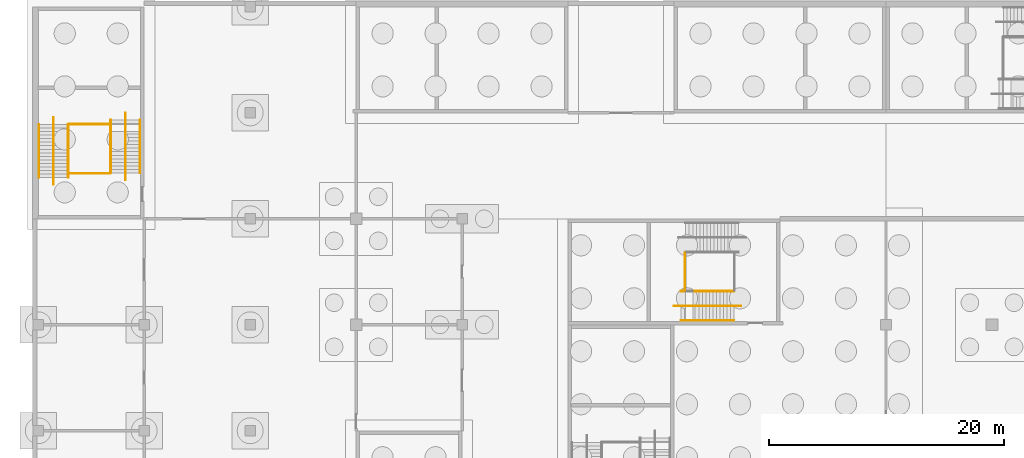
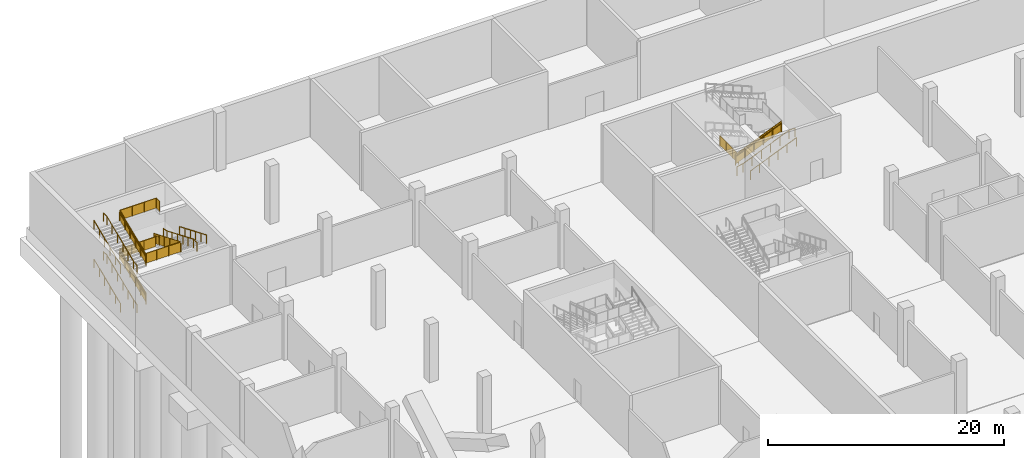
# One storey, part 32 of 42: 20 railings.
"""IFC4 building model written with IfcOpenShell, lengths in metres."""

from ifc_helpers import new_model, si_unit, direction, frame, origin, origin_2d, place, context, subcontext, project, spatial, polyline, circle, outline, extrude, material, type_object, element, save


model = new_model("IFC4")

# Units and contexts
model_context = context("Model", 3, precision=1e-05, world=origin(), true_north=direction((0.0, 1.0)))
body_context = subcontext(model_context, "Body", "Model", "MODEL_VIEW")
ifc_project = project(units=[si_unit("LENGTHUNIT", "METRE"), si_unit("AREAUNIT", "SQUARE_METRE"), si_unit("VOLUMEUNIT", "CUBIC_METRE"), si_unit("PLANEANGLEUNIT", "RADIAN"), si_unit("MASSUNIT", "GRAM", prefix="KILO")], contexts=[model_context])

# Site, building, storey
site_placement = place(None, origin())
site = spatial("IfcSite", under=ifc_project, at=site_placement, CompositionType="ELEMENT")
building_placement = place(site_placement, origin())
building = spatial("IfcBuilding", under=site, at=building_placement, Name="Silverbay Arena", CompositionType="ELEMENT")
storey_placement = place(building_placement, frame((0.0, 0.0, -6.0)))
storey = spatial("IfcBuildingStorey", under=building, at=storey_placement, Name="B1", CompositionType="ELEMENT", Elevation=-6.0)

# Railings
ifc_material_1 = material(Name="Stainless steel", Category="steel")
railing_type_1 = type_object("IfcRailingType", Name="Stair guard 1100", PredefinedType="GUARDRAIL", material=ifc_material_1)
railing_1_placement = place(storey_placement, frame((81.60009765625, 119.875, 2.125)))
element("IfcRailing", 1, at=railing_1_placement, inside=storey, type_object=railing_type_1, Name="Stair ST-NW1 B1 to L00 flight 2 guard right", PredefinedType="GUARDRAIL", context=body_context, shape_type="SweptSolid", body=[
    extrude(circle(Radius=0.02392578125, at=origin_2d()), frame((0.0, 0.0, 1.076171875), z_axis=(0.923076923077, 0.0, 0.384615384615), x_axis=(0.0, 1.0, 0.0)), (0.0, 0.0, 1.0), 4.875),
    extrude(outline(polyline([(-0.008056640625, 0.046630859375), (0.907958984375, 0.42822265625), (0.907958984375, 1.431396484375), (-0.008056640625, 1.049560546875), (-0.008056640625, 0.046630859375)])), frame((0.0, 0.0029296875, 0.0), z_axis=(0.0, -1.0, 0.0), x_axis=(1.0, 0.0, 0.0)), (0.0, 0.0, 1.0), 0.006103515625),
    extrude(outline(polyline([(-0.008056640625, 0.421630859375), (0.907958984375, 0.80322265625), (0.907958984375, 1.806396484375), (-0.008056640625, 1.424560546875), (-0.008056640625, 0.421630859375)])), frame((0.89990234375, 0.0029296875, 0.0), z_axis=(0.0, -1.0, 0.0), x_axis=(1.0, 0.0, 0.0)), (0.0, 0.0, 1.0), 0.006103515625),
    extrude(outline(polyline([(-0.008056640625, 0.796630859375), (0.907958984375, 1.17822265625), (0.907958984375, 2.181396484375), (-0.008056640625, 1.799560546875), (-0.008056640625, 0.796630859375)])), frame((1.800048828125, 0.0029296875, 0.0), z_axis=(0.0, -1.0, 0.0), x_axis=(1.0, 0.0, 0.0)), (0.0, 0.0, 1.0), 0.006103515625),
    extrude(outline(polyline([(-0.008056640625, 1.171630859375), (0.907958984375, 1.55322265625), (0.907958984375, 2.556396484375), (-0.008056640625, 2.174560546875), (-0.008056640625, 1.171630859375)])), frame((2.699951171875, 0.0029296875, 0.0), z_axis=(0.0, -1.0, 0.0), x_axis=(1.0, 0.0, 0.0)), (0.0, 0.0, 1.0), 0.006103515625),
    extrude(outline(polyline([(-0.008056640625, 1.546630859375), (0.907958984375, 1.92822265625), (0.907958984375, 2.931396484375), (-0.008056640625, 2.549560546875), (-0.008056640625, 1.546630859375)])), frame((3.60009765625, 0.0029296875, 0.0), z_axis=(0.0, -1.0, 0.0), x_axis=(1.0, 0.0, 0.0)), (0.0, 0.0, 1.0), 0.006103515625),
    extrude(circle(Radius=0.02099609375, at=origin_2d()), origin(), (0.0, 0.0, 1.0), 1.052001953125),
    extrude(circle(Radius=0.02099609375, at=origin_2d()), frame((0.89990234375, 0.0, 0.375)), (0.0, 0.0, 1.0), 1.052001953125),
    extrude(circle(Radius=0.02099609375, at=origin_2d()), frame((1.800048828125, 0.0, 0.75)), (0.0, 0.0, 1.0), 1.052001953125),
    extrude(circle(Radius=0.02099609375, at=origin_2d()), frame((2.699951171875, 0.0, 1.125)), (0.0, 0.0, 1.0), 1.052001953125),
    extrude(circle(Radius=0.02099609375, at=origin_2d()), frame((3.60009765625, 0.0, 1.5)), (0.0, 0.0, 1.0), 1.052001953125),
    extrude(circle(Radius=0.02099609375, at=origin_2d()), frame((4.5, 0.0, 1.875)), (0.0, 0.0, 1.0), 1.052001953125),
])
railing_2_placement = place(storey_placement, frame((81.93994140625, 119.89990234375, 2.0)))
element("IfcRailing", 2, at=railing_2_placement, inside=storey, type_object=railing_type_1, Name="Stair ST-NW1 B1 to L00 landing 1 guard", PredefinedType="GUARDRAIL", context=body_context, shape_type="SweptSolid", body=[
    extrude(circle(Radius=0.02392578125, at=origin_2d()), frame((0.0, 0.0, 1.076171875), z_axis=(0.0, 1.0, 0.0), x_axis=(-1.0, 0.0, 0.0)), (0.0, 0.0, 1.0), 3.2001953125),
    extrude(outline(polyline([(-0.008056640625, 0.050048828125), (1.07470703125, 0.050048828125), (1.07470703125, 1.052978515625), (-0.008056640625, 1.052978515625), (-0.008056640625, 0.050048828125)])), frame((-0.0029296875, 0.0, 0.0), z_axis=(1.0, 0.0, 0.0), x_axis=(0.0, 1.0, 0.0)), (0.0, 0.0, 1.0), 0.006103515625),
    extrude(outline(polyline([(-0.008056640625, 0.050048828125), (1.07470703125, 0.050048828125), (1.07470703125, 1.052978515625), (-0.008056640625, 1.052978515625), (-0.008056640625, 0.050048828125)])), frame((-0.0029296875, 1.066650390625, 0.0), z_axis=(1.0, 0.0, 0.0), x_axis=(0.0, 1.0, 0.0)), (0.0, 0.0, 1.0), 0.006103515625),
    extrude(outline(polyline([(-0.008056640625, 0.050048828125), (1.07470703125, 0.050048828125), (1.07470703125, 1.052978515625), (-0.008056640625, 1.052978515625), (-0.008056640625, 0.050048828125)])), frame((-0.0029296875, 2.133544921875, 0.0), z_axis=(1.0, 0.0, 0.0), x_axis=(0.0, 1.0, 0.0)), (0.0, 0.0, 1.0), 0.006103515625),
    extrude(circle(Radius=0.02099609375, at=origin_2d()), origin(), (0.0, 0.0, 1.0), 1.052001953125),
    extrude(circle(Radius=0.02099609375, at=origin_2d()), frame((0.0, 1.066650390625, 0.0)), (0.0, 0.0, 1.0), 1.052001953125),
    extrude(circle(Radius=0.02099609375, at=origin_2d()), frame((0.0, 2.133544921875, 0.0)), (0.0, 0.0, 1.0), 1.052001953125),
    extrude(circle(Radius=0.02099609375, at=origin_2d()), frame((0.0, 3.2001953125, 0.0)), (0.0, 0.0, 1.0), 1.052001953125),
])
railing_3_placement = place(storey_placement, frame((29.574951171875, 129.510009765625, 0.125)))
element("IfcRailing", 3, at=railing_3_placement, inside=storey, type_object=railing_type_1, Name="Stair ST-WG2 B1 to L00 flight 1 guard left", PredefinedType="GUARDRAIL", context=body_context, shape_type="SweptSolid", body=[
    extrude(circle(Radius=0.02392578125, at=origin_2d()), frame((0.0, 0.0, 1.076171875), z_axis=(0.0, 0.923076923077, 0.384615384615), x_axis=(-1.0, 0.0, 0.0)), (0.0, 0.0, 1.0), 4.875),
    extrude(outline(polyline([(-0.008056640625, 0.046630859375), (0.907958984375, 0.42822265625), (0.907958984375, 1.431396484375), (-0.008056640625, 1.049560546875), (-0.008056640625, 0.046630859375)])), frame((-0.0029296875, 0.0, 0.0), z_axis=(1.0, 0.0, 0.0), x_axis=(0.0, 1.0, 0.0)), (0.0, 0.0, 1.0), 0.006103515625),
    extrude(outline(polyline([(-0.008056640625, 0.421630859375), (0.907958984375, 0.80322265625), (0.907958984375, 1.806396484375), (-0.008056640625, 1.424560546875), (-0.008056640625, 0.421630859375)])), frame((-0.0029296875, 0.89990234375, 0.0), z_axis=(1.0, 0.0, 0.0), x_axis=(0.0, 1.0, 0.0)), (0.0, 0.0, 1.0), 0.006103515625),
    extrude(outline(polyline([(-0.008056640625, 0.796630859375), (0.907958984375, 1.17822265625), (0.907958984375, 2.181396484375), (-0.008056640625, 1.799560546875), (-0.008056640625, 0.796630859375)])), frame((-0.0029296875, 1.800048828125, 0.0), z_axis=(1.0, 0.0, 0.0), x_axis=(0.0, 1.0, 0.0)), (0.0, 0.0, 1.0), 0.006103515625),
    extrude(outline(polyline([(-0.008056640625, 1.171630859375), (0.907958984375, 1.55322265625), (0.907958984375, 2.556396484375), (-0.008056640625, 2.174560546875), (-0.008056640625, 1.171630859375)])), frame((-0.0029296875, 2.699951171875, 0.0), z_axis=(1.0, 0.0, 0.0), x_axis=(0.0, 1.0, 0.0)), (0.0, 0.0, 1.0), 0.006103515625),
    extrude(outline(polyline([(-0.008056640625, 1.546630859375), (0.907958984375, 1.92822265625), (0.907958984375, 2.931396484375), (-0.008056640625, 2.549560546875), (-0.008056640625, 1.546630859375)])), frame((-0.0029296875, 3.60009765625, 0.0), z_axis=(1.0, 0.0, 0.0), x_axis=(0.0, 1.0, 0.0)), (0.0, 0.0, 1.0), 0.006103515625),
    extrude(circle(Radius=0.02099609375, at=origin_2d()), origin(), (0.0, 0.0, 1.0), 1.052001953125),
    extrude(circle(Radius=0.02099609375, at=origin_2d()), frame((0.0, 0.89990234375, 0.375)), (0.0, 0.0, 1.0), 1.052001953125),
    extrude(circle(Radius=0.02099609375, at=origin_2d()), frame((0.0, 1.800048828125, 0.75)), (0.0, 0.0, 1.0), 1.052001953125),
    extrude(circle(Radius=0.02099609375, at=origin_2d()), frame((0.0, 2.699951171875, 1.125)), (0.0, 0.0, 1.0), 1.052001953125),
    extrude(circle(Radius=0.02099609375, at=origin_2d()), frame((0.0, 3.60009765625, 1.5)), (0.0, 0.0, 1.0), 1.052001953125),
    extrude(circle(Radius=0.02099609375, at=origin_2d()), frame((0.0, 4.5, 1.875)), (0.0, 0.0, 1.0), 1.052001953125),
])
railing_4_placement = place(storey_placement, frame((33.125, 134.39990234375, 2.125)))
element("IfcRailing", 4, at=railing_4_placement, inside=storey, type_object=railing_type_1, Name="Stair ST-WG2 B1 to L00 flight 2 guard right", PredefinedType="GUARDRAIL", context=body_context, shape_type="SweptSolid", body=[
    extrude(circle(Radius=0.02392578125, at=origin_2d()), frame((0.0, 0.0, 1.076171875), z_axis=(0.0, -0.923076923077, 0.384615384615), x_axis=(1.0, 0.0, 0.0)), (0.0, 0.0, 1.0), 4.875),
    extrude(outline(polyline([(-0.008056640625, 0.046630859375), (0.907958984375, 0.42822265625), (0.907958984375, 1.431396484375), (-0.008056640625, 1.049560546875), (-0.008056640625, 0.046630859375)])), frame((0.0029296875, 0.0, 0.0), z_axis=(-1.0, 0.0, 0.0), x_axis=(0.0, -1.0, 0.0)), (0.0, 0.0, 1.0), 0.006103515625),
    extrude(outline(polyline([(-0.008056640625, 0.421630859375), (0.907958984375, 0.80322265625), (0.907958984375, 1.806396484375), (-0.008056640625, 1.424560546875), (-0.008056640625, 0.421630859375)])), frame((0.0029296875, -0.89990234375, 0.0), z_axis=(-1.0, 0.0, 0.0), x_axis=(0.0, -1.0, 0.0)), (0.0, 0.0, 1.0), 0.006103515625),
    extrude(outline(polyline([(-0.008056640625, 0.796630859375), (0.907958984375, 1.17822265625), (0.907958984375, 2.181396484375), (-0.008056640625, 1.799560546875), (-0.008056640625, 0.796630859375)])), frame((0.0029296875, -1.800048828125, 0.0), z_axis=(-1.0, 0.0, 0.0), x_axis=(0.0, -1.0, 0.0)), (0.0, 0.0, 1.0), 0.006103515625),
    extrude(outline(polyline([(-0.008056640625, 1.171630859375), (0.907958984375, 1.55322265625), (0.907958984375, 2.556396484375), (-0.008056640625, 2.174560546875), (-0.008056640625, 1.171630859375)])), frame((0.0029296875, -2.699951171875, 0.0), z_axis=(-1.0, 0.0, 0.0), x_axis=(0.0, -1.0, 0.0)), (0.0, 0.0, 1.0), 0.006103515625),
    extrude(outline(polyline([(-0.008056640625, 1.546630859375), (0.907958984375, 1.92822265625), (0.907958984375, 2.931396484375), (-0.008056640625, 2.549560546875), (-0.008056640625, 1.546630859375)])), frame((0.0029296875, -3.60009765625, 0.0), z_axis=(-1.0, 0.0, 0.0), x_axis=(0.0, -1.0, 0.0)), (0.0, 0.0, 1.0), 0.006103515625),
    extrude(circle(Radius=0.02099609375, at=origin_2d()), origin(), (0.0, 0.0, 1.0), 1.052001953125),
    extrude(circle(Radius=0.02099609375, at=origin_2d()), frame((0.0, -0.89990234375, 0.375)), (0.0, 0.0, 1.0), 1.052001953125),
    extrude(circle(Radius=0.02099609375, at=origin_2d()), frame((0.0, -1.800048828125, 0.75)), (0.0, 0.0, 1.0), 1.052001953125),
    extrude(circle(Radius=0.02099609375, at=origin_2d()), frame((0.0, -2.699951171875, 1.125)), (0.0, 0.0, 1.0), 1.052001953125),
    extrude(circle(Radius=0.02099609375, at=origin_2d()), frame((0.0, -3.60009765625, 1.5)), (0.0, 0.0, 1.0), 1.052001953125),
    extrude(circle(Radius=0.02099609375, at=origin_2d()), frame((0.0, -4.5, 1.875)), (0.0, 0.0, 1.0), 1.052001953125),
])
railing_5_placement = place(storey_placement, frame((29.574951171875, 129.510009765625, 4.125)))
element("IfcRailing", 5, at=railing_5_placement, inside=storey, type_object=railing_type_1, Name="Stair ST-WG2 B1 to L00 flight 3 guard left", PredefinedType="GUARDRAIL", context=body_context, shape_type="SweptSolid", body=[
    extrude(circle(Radius=0.02392578125, at=origin_2d()), frame((0.0, 0.0, 1.076171875), z_axis=(0.0, 0.923076923077, 0.384615384615), x_axis=(-1.0, 0.0, 0.0)), (0.0, 0.0, 1.0), 4.875),
    extrude(outline(polyline([(-0.008056640625, 0.046630859375), (0.907958984375, 0.42822265625), (0.907958984375, 1.431396484375), (-0.008056640625, 1.049560546875), (-0.008056640625, 0.046630859375)])), frame((-0.0029296875, 0.0, 0.0), z_axis=(1.0, 0.0, 0.0), x_axis=(0.0, 1.0, 0.0)), (0.0, 0.0, 1.0), 0.006103515625),
    extrude(outline(polyline([(-0.008056640625, 0.421630859375), (0.907958984375, 0.80322265625), (0.907958984375, 1.806396484375), (-0.008056640625, 1.424560546875), (-0.008056640625, 0.421630859375)])), frame((-0.0029296875, 0.89990234375, 0.0), z_axis=(1.0, 0.0, 0.0), x_axis=(0.0, 1.0, 0.0)), (0.0, 0.0, 1.0), 0.006103515625),
    extrude(outline(polyline([(-0.008056640625, 0.796630859375), (0.907958984375, 1.17822265625), (0.907958984375, 2.181396484375), (-0.008056640625, 1.799560546875), (-0.008056640625, 0.796630859375)])), frame((-0.0029296875, 1.800048828125, 0.0), z_axis=(1.0, 0.0, 0.0), x_axis=(0.0, 1.0, 0.0)), (0.0, 0.0, 1.0), 0.006103515625),
    extrude(outline(polyline([(-0.008056640625, 1.171630859375), (0.907958984375, 1.55322265625), (0.907958984375, 2.556396484375), (-0.008056640625, 2.174560546875), (-0.008056640625, 1.171630859375)])), frame((-0.0029296875, 2.699951171875, 0.0), z_axis=(1.0, 0.0, 0.0), x_axis=(0.0, 1.0, 0.0)), (0.0, 0.0, 1.0), 0.006103515625),
    extrude(outline(polyline([(-0.008056640625, 1.546630859375), (0.907958984375, 1.92822265625), (0.907958984375, 2.931396484375), (-0.008056640625, 2.549560546875), (-0.008056640625, 1.546630859375)])), frame((-0.0029296875, 3.60009765625, 0.0), z_axis=(1.0, 0.0, 0.0), x_axis=(0.0, 1.0, 0.0)), (0.0, 0.0, 1.0), 0.006103515625),
    extrude(circle(Radius=0.02099609375, at=origin_2d()), origin(), (0.0, 0.0, 1.0), 1.052001953125),
    extrude(circle(Radius=0.02099609375, at=origin_2d()), frame((0.0, 0.89990234375, 0.375)), (0.0, 0.0, 1.0), 1.052001953125),
    extrude(circle(Radius=0.02099609375, at=origin_2d()), frame((0.0, 1.800048828125, 0.75)), (0.0, 0.0, 1.0), 1.052001953125),
    extrude(circle(Radius=0.02099609375, at=origin_2d()), frame((0.0, 2.699951171875, 1.125)), (0.0, 0.0, 1.0), 1.052001953125),
    extrude(circle(Radius=0.02099609375, at=origin_2d()), frame((0.0, 3.60009765625, 1.5)), (0.0, 0.0, 1.0), 1.052001953125),
    extrude(circle(Radius=0.02099609375, at=origin_2d()), frame((0.0, 4.5, 1.875)), (0.0, 0.0, 1.0), 1.052001953125),
])
for number, where, name in (
    (6, (33.10009765625, 134.06005859375, 2.0), "Stair ST-WG2 B1 to L00 landing 1 guard"),
    (7, (33.10009765625, 129.85009765625, 4.0), "Stair ST-WG2 B1 to L00 landing 2 guard"),
):
    element("IfcRailing", number, at=place(storey_placement, frame(where)), inside=storey, type_object=railing_type_1, Name=name, PredefinedType="GUARDRAIL", context=body_context, shape_type="SweptSolid", body=[
        extrude(circle(Radius=0.02392578125, at=origin_2d()), frame((0.0, 0.0, 1.076171875), z_axis=(-1.0, 0.0, 0.0), x_axis=(0.0, -1.0, 0.0)), (0.0, 0.0, 1.0), 3.5),
        extrude(outline(polyline([(-0.008056640625, 0.050048828125), (1.174560546875, 0.050048828125), (1.174560546875, 1.052978515625), (-0.008056640625, 1.052978515625), (-0.008056640625, 0.050048828125)])), frame((0.0, -0.0029296875, 0.0), z_axis=(0.0, 1.0, 0.0), x_axis=(-1.0, 0.0, 0.0)), (0.0, 0.0, 1.0), 0.006103515625),
        extrude(outline(polyline([(-0.008056640625, 0.050048828125), (1.174560546875, 0.050048828125), (1.174560546875, 1.052978515625), (-0.008056640625, 1.052978515625), (-0.008056640625, 0.050048828125)])), frame((-1.166748046875, -0.0029296875, 0.0), z_axis=(0.0, 1.0, 0.0), x_axis=(-1.0, 0.0, 0.0)), (0.0, 0.0, 1.0), 0.006103515625),
        extrude(outline(polyline([(-0.008056640625, 0.050048828125), (1.174560546875, 0.050048828125), (1.174560546875, 1.052978515625), (-0.008056640625, 1.052978515625), (-0.008056640625, 0.050048828125)])), frame((-2.333251953125, -0.0029296875, 0.0), z_axis=(0.0, 1.0, 0.0), x_axis=(-1.0, 0.0, 0.0)), (0.0, 0.0, 1.0), 0.006103515625),
        extrude(circle(Radius=0.02099609375, at=origin_2d()), origin(), (0.0, 0.0, 1.0), 1.052001953125),
        extrude(circle(Radius=0.02099609375, at=origin_2d()), frame((-1.166748046875, 0.0, 0.0)), (0.0, 0.0, 1.0), 1.052001953125),
        extrude(circle(Radius=0.02099609375, at=origin_2d()), frame((-2.333251953125, 0.0, 0.0)), (0.0, 0.0, 1.0), 1.052001953125),
        extrude(circle(Radius=0.02099609375, at=origin_2d()), frame((-3.5, 0.0, 0.0)), (0.0, 0.0, 1.0), 1.052001953125),
    ])
railing_6_placement = place(storey_placement, frame((33.14990234375, 133.449951171875, 6.0)))
element("IfcRailing", 8, at=railing_6_placement, inside=storey, type_object=railing_type_1, Name="Stair ST-WG2 B1 to L00 landing 3 guard", PredefinedType="GUARDRAIL", context=body_context, shape_type="SweptSolid", body=[
    extrude(circle(Radius=0.02392578125, at=origin_2d()), frame((0.0, 0.0, 1.076171875), z_axis=(0.0, 1.0, 0.0), x_axis=(-1.0, 0.0, 0.0)), (0.0, 0.0, 1.0), 0.56005859375),
    extrude(outline(polyline([(-0.008056640625, 0.050048828125), (0.568115234375, 0.050048828125), (0.568115234375, 1.052978515625), (-0.008056640625, 1.052978515625), (-0.008056640625, 0.050048828125)])), frame((-0.0029296875, 0.0, 0.0), z_axis=(1.0, 0.0, 0.0), x_axis=(0.0, 1.0, 0.0)), (0.0, 0.0, 1.0), 0.006103515625),
    extrude(circle(Radius=0.02392578125, at=origin_2d()), frame((0.0, 0.56005859375, 1.076171875), z_axis=(-1.0, 0.0, 0.0), x_axis=(0.0, -1.0, 0.0)), (0.0, 0.0, 1.0), 3.5498046875),
    extrude(outline(polyline([(-0.008056640625, 0.050048828125), (1.191162109375, 0.050048828125), (1.191162109375, 1.052978515625), (-0.008056640625, 1.052978515625), (-0.008056640625, 0.050048828125)])), frame((0.0, 0.55712890625, 0.0), z_axis=(0.0, 1.0, 0.0), x_axis=(-1.0, 0.0, 0.0)), (0.0, 0.0, 1.0), 0.006103515625),
    extrude(outline(polyline([(-0.008056640625, 0.050048828125), (1.191162109375, 0.050048828125), (1.191162109375, 1.052978515625), (-0.008056640625, 1.052978515625), (-0.008056640625, 0.050048828125)])), frame((-1.183349609375, 0.55712890625, 0.0), z_axis=(0.0, 1.0, 0.0), x_axis=(-1.0, 0.0, 0.0)), (0.0, 0.0, 1.0), 0.006103515625),
    extrude(outline(polyline([(-0.008056640625, 0.050048828125), (1.191162109375, 0.050048828125), (1.191162109375, 1.052978515625), (-0.008056640625, 1.052978515625), (-0.008056640625, 0.050048828125)])), frame((-2.366455078125, 0.55712890625, 0.0), z_axis=(0.0, 1.0, 0.0), x_axis=(-1.0, 0.0, 0.0)), (0.0, 0.0, 1.0), 0.006103515625),
    extrude(circle(Radius=0.02099609375, at=origin_2d()), origin(), (0.0, 0.0, 1.0), 1.052001953125),
    extrude(circle(Radius=0.02099609375, at=origin_2d()), frame((0.0, 0.56005859375, 0.0)), (0.0, 0.0, 1.0), 1.052001953125),
    extrude(circle(Radius=0.02099609375, at=origin_2d()), frame((-1.183349609375, 0.56005859375, 0.0)), (0.0, 0.0, 1.0), 1.052001953125),
    extrude(circle(Radius=0.02099609375, at=origin_2d()), frame((-2.366455078125, 0.56005859375, 0.0)), (0.0, 0.0, 1.0), 1.052001953125),
    extrude(circle(Radius=0.02099609375, at=origin_2d()), frame((-3.5498046875, 0.56005859375, 0.0)), (0.0, 0.0, 1.0), 1.052001953125),
])
ifc_material_2 = material(Name="Stainless steel", Category="steel")
railing_type_2 = type_object("IfcRailingType", Name="Stair handrail 900", PredefinedType="HANDRAIL", material=ifc_material_2)
for number, where, name in (
    (9, (81.60009765625, 117.35009765625, 2.125), "Stair ST-NW1 B1 to L00 flight 2 handrail left"),
    (10, (81.60009765625, 119.8359375, 2.125), "Stair ST-NW1 B1 to L00 flight 2 handrail right"),
):
    element("IfcRailing", number, at=place(storey_placement, frame(where)), inside=storey, type_object=railing_type_2, Name=name, PredefinedType="HANDRAIL", context=body_context, shape_type="SweptSolid", body=[
        extrude(circle(Radius=0.02392578125, at=origin_2d()), frame((0.0, 0.0, 0.8759765625), z_axis=(0.923076923077, 0.0, 0.384615384615), x_axis=(0.0, 1.0, 0.0)), (0.0, 0.0, 1.0), 4.875),
        extrude(circle(Radius=0.02099609375, at=origin_2d()), origin(), (0.0, 0.0, 1.0), 0.851806640625),
        extrude(circle(Radius=0.02099609375, at=origin_2d()), frame((0.89990234375, 0.0, 0.375)), (0.0, 0.0, 1.0), 0.851806640625),
        extrude(circle(Radius=0.02099609375, at=origin_2d()), frame((1.800048828125, 0.0, 0.75)), (0.0, 0.0, 1.0), 0.851806640625),
        extrude(circle(Radius=0.02099609375, at=origin_2d()), frame((2.699951171875, 0.0, 1.125)), (0.0, 0.0, 1.0), 0.851806640625),
        extrude(circle(Radius=0.02099609375, at=origin_2d()), frame((3.60009765625, 0.0, 1.5)), (0.0, 0.0, 1.0), 0.851806640625),
        extrude(circle(Radius=0.02099609375, at=origin_2d()), frame((4.5, 0.0, 1.875)), (0.0, 0.0, 1.0), 0.851806640625),
    ])
railing_7_placement = place(storey_placement, frame((81.0, 118.60009765625, 2.0)))
element("IfcRailing", 11, at=railing_7_placement, inside=storey, type_object=railing_type_2, Name="Stair ST-NW1 B1 to L00 flight 2 central handrail", PredefinedType="HANDRAIL", context=body_context, shape_type="SweptSolid", body=[
    extrude(circle(Radius=0.02392578125, at=origin_2d()), frame((0.0, 0.0, 0.8759765625), z_axis=(0.978987046276, 0.0, 0.203922444139), x_axis=(0.0, 1.0, 0.0)), (0.0, 0.0, 1.0), 0.613037109375),
    extrude(circle(Radius=0.02392578125, at=origin_2d()), frame((0.60009765625, 0.0, 1.0009765625), z_axis=(0.923076923077, 0.0, 0.384615384615), x_axis=(0.0, 1.0, 0.0)), (0.0, 0.0, 1.0), 4.875),
    extrude(circle(Radius=0.02392578125, at=origin_2d()), frame((5.10009765625, 0.0, 2.8759765625), z_axis=(1.0, 0.0, 0.0), x_axis=(0.0, 1.0, 0.0)), (0.0, 0.0, 1.0), 0.599853515625),
    extrude(circle(Radius=0.02099609375, at=origin_2d()), origin(), (0.0, 0.0, 1.0), 0.851806640625),
    extrude(circle(Radius=0.02099609375, at=origin_2d()), frame((0.60009765625, 0.0, 0.125)), (0.0, 0.0, 1.0), 0.851806640625),
    extrude(circle(Radius=0.02099609375, at=origin_2d()), frame((1.5, 0.0, 0.5)), (0.0, 0.0, 1.0), 0.851806640625),
    extrude(circle(Radius=0.02099609375, at=origin_2d()), frame((2.400146484375, 0.0, 0.875)), (0.0, 0.0, 1.0), 0.851806640625),
    extrude(circle(Radius=0.02099609375, at=origin_2d()), frame((3.300048828125, 0.0, 1.25)), (0.0, 0.0, 1.0), 0.851806640625),
    extrude(circle(Radius=0.02099609375, at=origin_2d()), frame((4.2001953125, 0.0, 1.625)), (0.0, 0.0, 1.0), 0.851806640625),
    extrude(circle(Radius=0.02099609375, at=origin_2d()), frame((5.10009765625, 0.0, 2.0)), (0.0, 0.0, 1.0), 0.851806640625),
    extrude(circle(Radius=0.02099609375, at=origin_2d()), frame((5.699951171875, 0.0, 2.0)), (0.0, 0.0, 1.0), 0.851806640625),
])
for number, where, name in (
    (12, (29.535888671875, 129.510009765625, 0.125), "Stair ST-WG2 B1 to L00 flight 1 handrail left"),
    (13, (27.050048828125, 129.510009765625, 0.125), "Stair ST-WG2 B1 to L00 flight 1 handrail right"),
):
    element("IfcRailing", number, at=place(storey_placement, frame(where)), inside=storey, type_object=railing_type_2, Name=name, PredefinedType="HANDRAIL", context=body_context, shape_type="SweptSolid", body=[
        extrude(circle(Radius=0.02392578125, at=origin_2d()), frame((0.0, 0.0, 0.8759765625), z_axis=(0.0, 0.923076923077, 0.384615384615), x_axis=(-1.0, 0.0, 0.0)), (0.0, 0.0, 1.0), 4.875),
        extrude(circle(Radius=0.02099609375, at=origin_2d()), origin(), (0.0, 0.0, 1.0), 0.851806640625),
        extrude(circle(Radius=0.02099609375, at=origin_2d()), frame((0.0, 0.89990234375, 0.375)), (0.0, 0.0, 1.0), 0.851806640625),
        extrude(circle(Radius=0.02099609375, at=origin_2d()), frame((0.0, 1.800048828125, 0.75)), (0.0, 0.0, 1.0), 0.851806640625),
        extrude(circle(Radius=0.02099609375, at=origin_2d()), frame((0.0, 2.699951171875, 1.125)), (0.0, 0.0, 1.0), 0.851806640625),
        extrude(circle(Radius=0.02099609375, at=origin_2d()), frame((0.0, 3.60009765625, 1.5)), (0.0, 0.0, 1.0), 0.851806640625),
        extrude(circle(Radius=0.02099609375, at=origin_2d()), frame((0.0, 4.5, 1.875)), (0.0, 0.0, 1.0), 0.851806640625),
    ])
railing_8_placement = place(storey_placement, frame((28.300048828125, 128.909912109375, 0.0)))
element("IfcRailing", 14, at=railing_8_placement, inside=storey, type_object=railing_type_2, Name="Stair ST-WG2 B1 to L00 flight 1 central handrail", PredefinedType="HANDRAIL", context=body_context, shape_type="SweptSolid", body=[
    extrude(circle(Radius=0.02392578125, at=origin_2d()), frame((0.0, 0.0, 0.8759765625), z_axis=(0.0, 0.978987046276, 0.203922444139), x_axis=(-1.0, 0.0, 0.0)), (0.0, 0.0, 1.0), 0.613037109375),
    extrude(circle(Radius=0.02392578125, at=origin_2d()), frame((0.0, 0.60009765625, 1.0009765625), z_axis=(0.0, 0.923076923077, 0.384615384615), x_axis=(-1.0, 0.0, 0.0)), (0.0, 0.0, 1.0), 4.875),
    extrude(circle(Radius=0.02392578125, at=origin_2d()), frame((0.0, 5.10009765625, 2.8759765625), z_axis=(0.0, 1.0, 0.0), x_axis=(-1.0, 0.0, 0.0)), (0.0, 0.0, 1.0), 0.60009765625),
    extrude(circle(Radius=0.02099609375, at=origin_2d()), origin(), (0.0, 0.0, 1.0), 0.851806640625),
    extrude(circle(Radius=0.02099609375, at=origin_2d()), frame((0.0, 0.60009765625, 0.125)), (0.0, 0.0, 1.0), 0.851806640625),
    extrude(circle(Radius=0.02099609375, at=origin_2d()), frame((0.0, 1.5, 0.5)), (0.0, 0.0, 1.0), 0.851806640625),
    extrude(circle(Radius=0.02099609375, at=origin_2d()), frame((0.0, 2.400146484375, 0.875)), (0.0, 0.0, 1.0), 0.851806640625),
    extrude(circle(Radius=0.02099609375, at=origin_2d()), frame((0.0, 3.300048828125, 1.25)), (0.0, 0.0, 1.0), 0.851806640625),
    extrude(circle(Radius=0.02099609375, at=origin_2d()), frame((0.0, 4.2001953125, 1.625)), (0.0, 0.0, 1.0), 0.851806640625),
    extrude(circle(Radius=0.02099609375, at=origin_2d()), frame((0.0, 5.10009765625, 2.0)), (0.0, 0.0, 1.0), 0.851806640625),
    extrude(circle(Radius=0.02099609375, at=origin_2d()), frame((0.0, 5.7001953125, 2.0)), (0.0, 0.0, 1.0), 0.851806640625),
])
for number, where, name in (
    (15, (35.64990234375, 134.39990234375, 2.125), "Stair ST-WG2 B1 to L00 flight 2 handrail left"),
    (16, (33.1640625, 134.39990234375, 2.125), "Stair ST-WG2 B1 to L00 flight 2 handrail right"),
):
    element("IfcRailing", number, at=place(storey_placement, frame(where)), inside=storey, type_object=railing_type_2, Name=name, PredefinedType="HANDRAIL", context=body_context, shape_type="SweptSolid", body=[
        extrude(circle(Radius=0.02392578125, at=origin_2d()), frame((0.0, 0.0, 0.8759765625), z_axis=(0.0, -0.923076923077, 0.384615384615), x_axis=(1.0, 0.0, 0.0)), (0.0, 0.0, 1.0), 4.875),
        extrude(circle(Radius=0.02099609375, at=origin_2d()), origin(), (0.0, 0.0, 1.0), 0.851806640625),
        extrude(circle(Radius=0.02099609375, at=origin_2d()), frame((0.0, -0.89990234375, 0.375)), (0.0, 0.0, 1.0), 0.851806640625),
        extrude(circle(Radius=0.02099609375, at=origin_2d()), frame((0.0, -1.800048828125, 0.75)), (0.0, 0.0, 1.0), 0.851806640625),
        extrude(circle(Radius=0.02099609375, at=origin_2d()), frame((0.0, -2.699951171875, 1.125)), (0.0, 0.0, 1.0), 0.851806640625),
        extrude(circle(Radius=0.02099609375, at=origin_2d()), frame((0.0, -3.60009765625, 1.5)), (0.0, 0.0, 1.0), 0.851806640625),
        extrude(circle(Radius=0.02099609375, at=origin_2d()), frame((0.0, -4.5, 1.875)), (0.0, 0.0, 1.0), 0.851806640625),
    ])
railing_9_placement = place(storey_placement, frame((34.39990234375, 135.0, 2.0)))
element("IfcRailing", 17, at=railing_9_placement, inside=storey, type_object=railing_type_2, Name="Stair ST-WG2 B1 to L00 flight 2 central handrail", PredefinedType="HANDRAIL", context=body_context, shape_type="SweptSolid", body=[
    extrude(circle(Radius=0.02392578125, at=origin_2d()), frame((0.0, 0.0, 0.8759765625), z_axis=(0.0, -0.978987046276, 0.203922444139), x_axis=(1.0, 0.0, 0.0)), (0.0, 0.0, 1.0), 0.613037109375),
    extrude(circle(Radius=0.02392578125, at=origin_2d()), frame((0.0, -0.60009765625, 1.0009765625), z_axis=(0.0, -0.923076923077, 0.384615384615), x_axis=(1.0, 0.0, 0.0)), (0.0, 0.0, 1.0), 4.875),
    extrude(circle(Radius=0.02392578125, at=origin_2d()), frame((0.0, -5.10009765625, 2.8759765625), z_axis=(0.0, -1.0, 0.0), x_axis=(1.0, 0.0, 0.0)), (0.0, 0.0, 1.0), 0.599853515625),
    extrude(circle(Radius=0.02099609375, at=origin_2d()), origin(), (0.0, 0.0, 1.0), 0.851806640625),
    extrude(circle(Radius=0.02099609375, at=origin_2d()), frame((0.0, -0.60009765625, 0.125)), (0.0, 0.0, 1.0), 0.851806640625),
    extrude(circle(Radius=0.02099609375, at=origin_2d()), frame((0.0, -1.5, 0.5)), (0.0, 0.0, 1.0), 0.851806640625),
    extrude(circle(Radius=0.02099609375, at=origin_2d()), frame((0.0, -2.400146484375, 0.875)), (0.0, 0.0, 1.0), 0.851806640625),
    extrude(circle(Radius=0.02099609375, at=origin_2d()), frame((0.0, -3.300048828125, 1.25)), (0.0, 0.0, 1.0), 0.851806640625),
    extrude(circle(Radius=0.02099609375, at=origin_2d()), frame((0.0, -4.2001953125, 1.625)), (0.0, 0.0, 1.0), 0.851806640625),
    extrude(circle(Radius=0.02099609375, at=origin_2d()), frame((0.0, -5.10009765625, 2.0)), (0.0, 0.0, 1.0), 0.851806640625),
    extrude(circle(Radius=0.02099609375, at=origin_2d()), frame((0.0, -5.699951171875, 2.0)), (0.0, 0.0, 1.0), 0.851806640625),
])
for number, where, name in (
    (18, (29.535888671875, 129.510009765625, 4.125), "Stair ST-WG2 B1 to L00 flight 3 handrail left"),
    (19, (27.050048828125, 129.510009765625, 4.125), "Stair ST-WG2 B1 to L00 flight 3 handrail right"),
):
    element("IfcRailing", number, at=place(storey_placement, frame(where)), inside=storey, type_object=railing_type_2, Name=name, PredefinedType="HANDRAIL", context=body_context, shape_type="SweptSolid", body=[
        extrude(circle(Radius=0.02392578125, at=origin_2d()), frame((0.0, 0.0, 0.8759765625), z_axis=(0.0, 0.923076923077, 0.384615384615), x_axis=(-1.0, 0.0, 0.0)), (0.0, 0.0, 1.0), 4.875),
        extrude(circle(Radius=0.02099609375, at=origin_2d()), origin(), (0.0, 0.0, 1.0), 0.851806640625),
        extrude(circle(Radius=0.02099609375, at=origin_2d()), frame((0.0, 0.89990234375, 0.375)), (0.0, 0.0, 1.0), 0.851806640625),
        extrude(circle(Radius=0.02099609375, at=origin_2d()), frame((0.0, 1.800048828125, 0.75)), (0.0, 0.0, 1.0), 0.851806640625),
        extrude(circle(Radius=0.02099609375, at=origin_2d()), frame((0.0, 2.699951171875, 1.125)), (0.0, 0.0, 1.0), 0.851806640625),
        extrude(circle(Radius=0.02099609375, at=origin_2d()), frame((0.0, 3.60009765625, 1.5)), (0.0, 0.0, 1.0), 0.851806640625),
        extrude(circle(Radius=0.02099609375, at=origin_2d()), frame((0.0, 4.5, 1.875)), (0.0, 0.0, 1.0), 0.851806640625),
    ])
railing_10_placement = place(storey_placement, frame((28.300048828125, 128.909912109375, 4.0)))
element("IfcRailing", 20, at=railing_10_placement, inside=storey, type_object=railing_type_2, Name="Stair ST-WG2 B1 to L00 flight 3 central handrail", PredefinedType="HANDRAIL", context=body_context, shape_type="SweptSolid", body=[
    extrude(circle(Radius=0.02392578125, at=origin_2d()), frame((0.0, 0.0, 0.8759765625), z_axis=(0.0, 0.978987046276, 0.203922444139), x_axis=(-1.0, 0.0, 0.0)), (0.0, 0.0, 1.0), 0.613037109375),
    extrude(circle(Radius=0.02392578125, at=origin_2d()), frame((0.0, 0.60009765625, 1.0009765625), z_axis=(0.0, 0.923076923077, 0.384615384615), x_axis=(-1.0, 0.0, 0.0)), (0.0, 0.0, 1.0), 4.875),
    extrude(circle(Radius=0.02392578125, at=origin_2d()), frame((0.0, 5.10009765625, 2.8759765625), z_axis=(0.0, 1.0, 0.0), x_axis=(-1.0, 0.0, 0.0)), (0.0, 0.0, 1.0), 0.60009765625),
    extrude(circle(Radius=0.02099609375, at=origin_2d()), origin(), (0.0, 0.0, 1.0), 0.851806640625),
    extrude(circle(Radius=0.02099609375, at=origin_2d()), frame((0.0, 0.60009765625, 0.125)), (0.0, 0.0, 1.0), 0.851806640625),
    extrude(circle(Radius=0.02099609375, at=origin_2d()), frame((0.0, 1.5, 0.5)), (0.0, 0.0, 1.0), 0.851806640625),
    extrude(circle(Radius=0.02099609375, at=origin_2d()), frame((0.0, 2.400146484375, 0.875)), (0.0, 0.0, 1.0), 0.851806640625),
    extrude(circle(Radius=0.02099609375, at=origin_2d()), frame((0.0, 3.300048828125, 1.25)), (0.0, 0.0, 1.0), 0.851806640625),
    extrude(circle(Radius=0.02099609375, at=origin_2d()), frame((0.0, 4.2001953125, 1.625)), (0.0, 0.0, 1.0), 0.851806640625),
    extrude(circle(Radius=0.02099609375, at=origin_2d()), frame((0.0, 5.10009765625, 2.0)), (0.0, 0.0, 1.0), 0.851806640625),
    extrude(circle(Radius=0.02099609375, at=origin_2d()), frame((0.0, 5.7001953125, 2.0)), (0.0, 0.0, 1.0), 0.851806640625),
])

save(model, "model.ifc")
